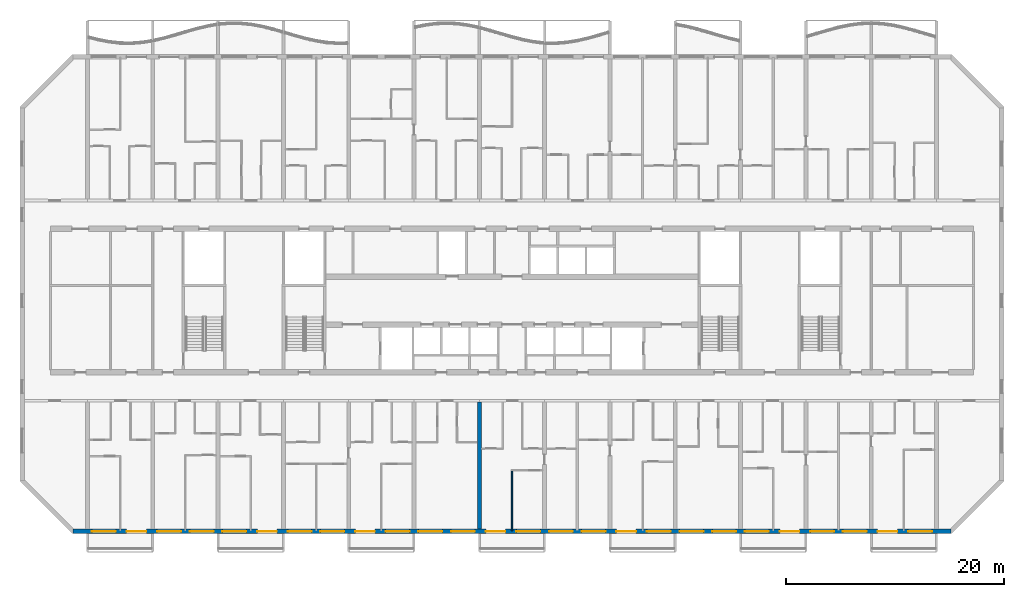
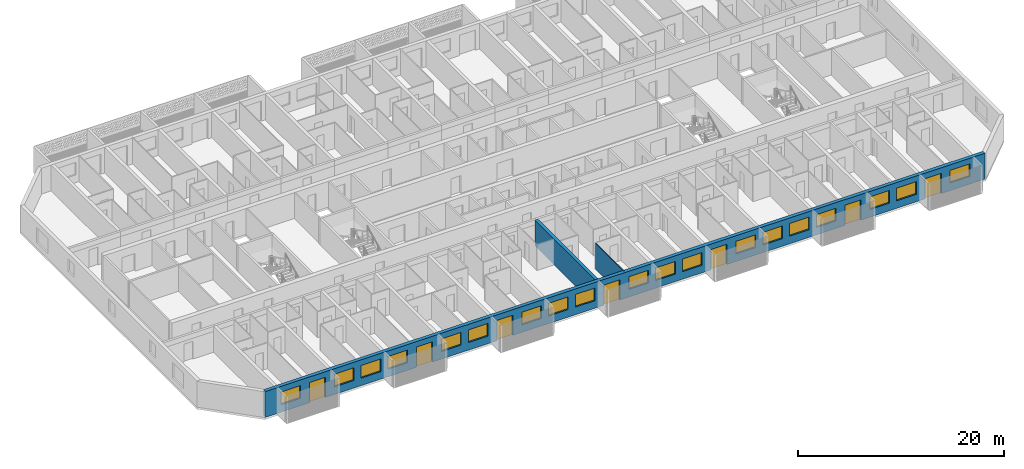
# One storey, part 4 of 26: 19 windows, 7 doors, 3 walls, 26 openings.
"""IFC4 building model written with IfcOpenShell, lengths in metres."""

import ifcopenshell
import ifcopenshell.guid

model = None  # the IFC model being written
_history = None  # IfcOwnerHistory: only IFC2X3 demands one
_inside = {}  # id of a spatial element -> (the spatial element, [elements in it])
_under = {}  # id of a project, library or spatial element -> (it, [spatial elements below it])
_declared = {}  # id of a project -> (the project, [libraries it declares])
_typed = {}  # id of a type object -> (the type object, [elements of that type])
_made_of = {}  # id of a material, layer set ... -> (it, [elements and type objects made of it])


def new_model(schema):
    """Start an empty IFC model of exactly this schema.

    Asked for "IFC4X3", IfcOpenShell would pick the latest addendum, in which some entities
    have other attributes; the version numbers below select the first issue.
    IFC2X3 requires an IfcOwnerHistory on every rooted entity: one is made here for all.
    """
    global model, _history
    if schema == "IFC4X3":
        model = ifcopenshell.file(schema_version=(4, 3, 0, 0))
    else:
        model = ifcopenshell.file(schema=schema)
    _inside.clear()
    _under.clear()
    _declared.clear()
    _typed.clear()
    _made_of.clear()
    _history = None
    if model.schema == "IFC2X3":
        org = make("IfcOrganization", Name="unknown")
        user = make(
            "IfcPersonAndOrganization",
            ThePerson=make("IfcPerson", FamilyName="unknown"),
            TheOrganization=org,
        )
        app = make(
            "IfcApplication",
            ApplicationDeveloper=org,
            Version="unknown",
            ApplicationFullName="unknown",
            ApplicationIdentifier="unknown",
        )
        _history = make(
            "IfcOwnerHistory",
            OwningUser=user,
            OwningApplication=app,
            ChangeAction="ADDED",
            CreationDate=0,
        )
    return model


def make(cls, **values):
    """One entity of the class cls with the attributes given. An attribute that is None is left unset."""
    return model.create_entity(
        cls, **{name: value for name, value in values.items() if value is not None}
    )


def rooted(cls, **values):
    """An entity with a GlobalId (a new one), such as an element, a storey or a relation."""
    return make(cls, GlobalId=ifcopenshell.guid.new(), OwnerHistory=_history, **values)


def si_unit(unit_type, name, prefix=None):
    """IfcSIUnit, for example si_unit("LENGTHUNIT", "METRE", prefix="MILLI")."""
    return make("IfcSIUnit", UnitType=unit_type, Prefix=prefix, Name=name)


def assignment(units):
    """IfcUnitAssignment: the units of a project."""
    return None if units is None else make("IfcUnitAssignment", Units=units)


def point(xyz):
    """IfcCartesianPoint."""
    return None if xyz is None else make("IfcCartesianPoint", Coordinates=xyz)


def direction(xyz):
    """IfcDirection."""
    return None if xyz is None else make("IfcDirection", DirectionRatios=xyz)


def frame(location, z_axis=None, x_axis=None):
    """IfcAxis2Placement3D, a coordinate frame: its origin and axes. An axis left out is left unset."""
    return make(
        "IfcAxis2Placement3D",
        Location=point(location),
        Axis=direction(z_axis),
        RefDirection=direction(x_axis),
    )


def frame_2d(location, x_axis=None):
    """IfcAxis2Placement2D, a coordinate frame in the plane: its origin and x axis."""
    return make(
        "IfcAxis2Placement2D", Location=point(location), RefDirection=direction(x_axis)
    )


def origin():
    """The frame at (0, 0, 0) with its axes left unset."""
    return frame((0.0, 0.0, 0.0))


def place(relative_to, where):
    """IfcLocalPlacement: puts the frame where relative to a parent placement (None: the world)."""
    return make(
        "IfcLocalPlacement", PlacementRelTo=relative_to, RelativePlacement=where
    )


def context(
    kind, dimensions, precision=None, world=None, true_north=None, identifier=None
):
    """IfcGeometricRepresentationContext, for example the 3D "Model" context."""
    return make(
        "IfcGeometricRepresentationContext",
        ContextIdentifier=identifier,
        ContextType=kind,
        CoordinateSpaceDimension=dimensions,
        Precision=precision,
        WorldCoordinateSystem=world,
        TrueNorth=true_north,
    )


def subcontext(parent, identifier, kind, view, scale=None):
    """IfcGeometricRepresentationSubContext, for example "Body" below "Model"."""
    return make(
        "IfcGeometricRepresentationSubContext",
        ContextIdentifier=identifier,
        ContextType=kind,
        ParentContext=parent,
        TargetScale=scale,
        TargetView=view,
    )


def project(units=None, contexts=None):
    """IfcProject with its units and contexts."""
    return rooted(
        "IfcProject",
        Name="project",
        RepresentationContexts=contexts,
        UnitsInContext=assignment(units),
    )


def spatial(cls, under=None, at=None, **own):
    """A site, building, storey or space (cls), placed at a placement, below another one or the project."""
    s = rooted(cls, ObjectPlacement=at, **own)
    if under is not None:
        _under.setdefault(under.id(), (under, []))[1].append(s)
    return s


def profile(cls, at=None, kind="AREA", **sizes):
    """A parametric profile (cls). Its sizes go by their IFC names, for example OverallWidth=200.0."""
    return make(cls, ProfileType=kind, Position=at, **sizes)


def rectangle(**sizes):
    """IfcRectangleProfileDef."""
    return profile("IfcRectangleProfileDef", **sizes)


def extrude(swept, where, along, depth):
    """IfcExtrudedAreaSolid: the profile swept, set in the frame where, extruded along a direction by depth."""
    return make(
        "IfcExtrudedAreaSolid",
        SweptArea=swept,
        Position=where,
        ExtrudedDirection=direction(along),
        Depth=depth,
    )


def shape(context_of_items, identifier, shape_type, items):
    """IfcShapeRepresentation: the items that make up one representation, for example the "Body"."""
    return make(
        "IfcShapeRepresentation",
        ContextOfItems=context_of_items,
        RepresentationIdentifier=identifier,
        RepresentationType=shape_type,
        Items=items,
    )


def material(Name=None, Category=None):
    """IfcMaterial."""
    return make("IfcMaterial", Name=Name, Category=Category)


def layer(
    of_material, thickness, ventilated=None, Name=None, Category=None, Priority=None
):
    """IfcMaterialLayer: one layer of a wall or slab, of a material (None: an air gap)."""
    return make(
        "IfcMaterialLayer",
        Material=of_material,
        LayerThickness=thickness,
        IsVentilated=ventilated,
        Name=Name,
        Category=Category,
        Priority=Priority,
    )


def layer_set(layers, Name=None):
    """IfcMaterialLayerSet."""
    return make("IfcMaterialLayerSet", MaterialLayers=layers, LayerSetName=Name)


def made_of(thing, what):
    """Note that an element or type object is made of a material, layer set ...; save() writes the relation."""
    if what is not None:
        _made_of.setdefault(what.id(), (what, []))[1].append(thing)
    return thing


def type_object(cls, material=None, **own):
    """A type object (cls), such as IfcWallType, which elements share."""
    return made_of(rooted(cls, **own), material)


def element(
    cls,
    number,
    at=None,
    inside=None,
    cuts=None,
    type_object=None,
    material=None,
    context=None,
    identifier="Body",
    shape_type=None,
    held_by="IfcProductDefinitionShape",
    body=None,
    shapes=None,
    **own,
):
    """One element of the class cls, such as IfcWall. Its Tag is "e" and its number.

    at: its placement. inside: the storey or other place that contains it. cuts: it is an
    opening in that element (IfcRelVoidsElement). A single representation is given by context,
    identifier, shape_type and body (its items); several are given by shapes. held_by: the class
    of the entity that holds the representations. save() writes the other relations.
    """
    e = rooted(cls, Tag="e%d" % number, ObjectPlacement=at, **own)
    if body is not None:
        shapes = [shape(context, identifier, shape_type, body)]
    if shapes is not None:
        e.Representation = make(held_by, Representations=shapes)
    if inside is not None:
        _inside.setdefault(inside.id(), (inside, []))[1].append(e)
    if cuts is not None:
        rooted(
            "IfcRelVoidsElement", RelatingBuildingElement=cuts, RelatedOpeningElement=e
        )
    if type_object is not None:
        _typed.setdefault(type_object.id(), (type_object, []))[1].append(e)
    return made_of(e, material)


def fill(opening, filler):
    """IfcRelFillsElement: the door or window that sits in an opening."""
    return rooted(
        "IfcRelFillsElement",
        RelatingOpeningElement=opening,
        RelatedBuildingElement=filler,
    )


def aggregate(whole, parts):
    """IfcRelAggregates: a whole, such as a stair, and the parts it consists of."""
    return rooted("IfcRelAggregates", RelatingObject=whole, RelatedObjects=parts)


def save(model, path):
    """Write the relations noted so far, then the file.

    IfcRelAggregates (storeys below a building ...), IfcRelContainedInSpatialStructure (elements
    in a storey), IfcRelDefinesByType, IfcRelAssociatesMaterial and IfcRelDeclares: one each for
    every whole, place, type object, material and project.
    """
    for whole, parts in _under.values():
        aggregate(whole, parts)
    for where, things in _inside.values():
        rooted(
            "IfcRelContainedInSpatialStructure",
            RelatedElements=things,
            RelatingStructure=where,
        )
    for kind, things in _typed.values():
        rooted("IfcRelDefinesByType", RelatedObjects=things, RelatingType=kind)
    for what, things in _made_of.values():
        rooted("IfcRelAssociatesMaterial", RelatedObjects=things, RelatingMaterial=what)
    for by, libraries in _declared.values():
        rooted("IfcRelDeclares", RelatingContext=by, RelatedDefinitions=libraries)
    model.write(path)


model = new_model("IFC4")

# Units and contexts
model_context = context("Model", 3, precision=1e-05, world=origin(), true_north=direction((0.0, 1.0)))
body_context = subcontext(model_context, "Body", "Model", "MODEL_VIEW")
ifc_project = project(units=[si_unit("LENGTHUNIT", "METRE"), si_unit("AREAUNIT", "SQUARE_METRE"), si_unit("VOLUMEUNIT", "CUBIC_METRE"), si_unit("PLANEANGLEUNIT", "RADIAN"), si_unit("MASSUNIT", "GRAM", prefix="KILO")], contexts=[model_context])

# Site, building, storey
site_placement = place(None, origin())
site = spatial("IfcSite", under=ifc_project, at=site_placement, CompositionType="ELEMENT")
building_placement = place(site_placement, origin())
building = spatial("IfcBuilding", under=site, at=building_placement, Name="Poui Terraces", CompositionType="ELEMENT")
storey_placement = place(building_placement, frame((0.0, 0.0, 79.5)))
storey = spatial("IfcBuildingStorey", under=building, at=storey_placement, Name="L21", CompositionType="ELEMENT", Elevation=79.5)

# Wall
ifc_material_1 = material(Name="Concrete 65 MPa", Category="concrete")
ifc_layer_1 = layer(ifc_material_1, 0.35009765625)
ifc_layer_set_1 = layer_set([ifc_layer_1], Name="Concrete 65 MPa")
wall_type_1 = type_object("IfcWallType", Name="CROSS WALL 350 65MPa", PredefinedType="SHEAR", material=ifc_layer_set_1)
wall_1_placement = place(storey_placement, frame((48.0, 0.199951171875, 0.0), z_axis=(0.0, 0.0, 1.0), x_axis=(0.0, 1.0, 0.0)))
element("IfcWall", 1, at=wall_1_placement, inside=storey, type_object=wall_type_1, Name="CROSS WALL LINE 9 SOUTH", PredefinedType="SHEAR", context=body_context, shape_type="SweptSolid", body=[
    extrude(rectangle(XDim=11.675048828125, YDim=0.35009765625, at=frame_2d((5.83740234375, 0.0))), origin(), (0.0, 0.0, 1.0), 3.06005859375),
])

# Wall, openings, doors, windows
ifc_material_2 = material(Name="Precast concrete 40 MPa", Category="concrete")
ifc_layer_2 = layer(ifc_material_2, 0.39990234375)
ifc_layer_set_2 = layer_set([ifc_layer_2], Name="Precast concrete 40 MPa")
wall_type_2 = type_object("IfcWallType", Name="EXTERNAL WALL 400", PredefinedType="STANDARD", material=ifc_layer_set_2)
wall_2_placement = place(storey_placement, frame((10.682861328125, 0.0, 0.0), z_axis=(0.0, 0.0, 1.0), x_axis=(1.0, 0.0, 0.0)))
wall_2 = element("IfcWall", 2, at=wall_2_placement, inside=storey, type_object=wall_type_2, Name="EXTERNAL WALL S", PredefinedType="STANDARD", context=body_context, shape_type="SweptSolid", body=[
    extrude(rectangle(XDim=80.63427734375, YDim=0.39990234375, at=frame_2d((40.317138671875, 0.0))), origin(), (0.0, 0.0, 1.0), 3.06005859375),
])
opening_1_placement = place(wall_2_placement, frame((1.71728515625, 0.0, 0.89990234375)))
opening_1 = element("IfcOpeningElement", 3, at=opening_1_placement, cuts=wall_2, Name="Opening W1", PredefinedType="OPENING", context=body_context, shape_type="SweptSolid", body=[
    extrude(rectangle(XDim=2.199951171875, YDim=1.5, at=frame_2d((1.10009765625, 0.75))), frame((0.0, 0.2099609375, 0.0), z_axis=(0.0, -1.0, 0.0), x_axis=(1.0, 0.0, 0.0)), (0.0, 0.0, 1.0), 0.419921875),
])
opening_2_placement = place(wall_2_placement, frame((4.917236328125, 0.0, 0.0)))
opening_2 = element("IfcOpeningElement", 4, at=opening_2_placement, cuts=wall_2, Name="Opening BD1", PredefinedType="OPENING", context=body_context, shape_type="SweptSolid", body=[
    extrude(rectangle(XDim=1.800048828125, YDim=2.39990234375, at=frame_2d((0.89990234375, 1.199951171875))), frame((0.0, 0.2099609375, 0.0), z_axis=(0.0, -1.0, 0.0), x_axis=(1.0, 0.0, 0.0)), (0.0, 0.0, 1.0), 0.419921875),
])
opening_3_placement = place(wall_2_placement, frame((7.71728515625, 0.0, 0.89990234375)))
opening_3 = element("IfcOpeningElement", 5, at=opening_3_placement, cuts=wall_2, Name="Opening W1", PredefinedType="OPENING", context=body_context, shape_type="SweptSolid", body=[
    extrude(rectangle(XDim=2.199951171875, YDim=1.5, at=frame_2d((1.10009765625, 0.75))), frame((0.0, 0.2099609375, 0.0), z_axis=(0.0, -1.0, 0.0), x_axis=(1.0, 0.0, 0.0)), (0.0, 0.0, 1.0), 0.419921875),
])
opening_4_placement = place(wall_2_placement, frame((10.71728515625, 0.0, 0.89990234375)))
opening_4 = element("IfcOpeningElement", 6, at=opening_4_placement, cuts=wall_2, Name="Opening W1", PredefinedType="OPENING", context=body_context, shape_type="SweptSolid", body=[
    extrude(rectangle(XDim=2.199951171875, YDim=1.5, at=frame_2d((1.10009765625, 0.75))), frame((0.0, 0.2099609375, 0.0), z_axis=(0.0, -1.0, 0.0), x_axis=(1.0, 0.0, 0.0)), (0.0, 0.0, 1.0), 0.419921875),
])
opening_5_placement = place(wall_2_placement, frame((13.71728515625, 0.0, 0.89990234375)))
opening_5 = element("IfcOpeningElement", 7, at=opening_5_placement, cuts=wall_2, Name="Opening W1", PredefinedType="OPENING", context=body_context, shape_type="SweptSolid", body=[
    extrude(rectangle(XDim=2.199951171875, YDim=1.5, at=frame_2d((1.10009765625, 0.75))), frame((0.0, 0.2099609375, 0.0), z_axis=(0.0, -1.0, 0.0), x_axis=(1.0, 0.0, 0.0)), (0.0, 0.0, 1.0), 0.419921875),
])
opening_6_placement = place(wall_2_placement, frame((16.917236328125, 0.0, 0.0)))
opening_6 = element("IfcOpeningElement", 8, at=opening_6_placement, cuts=wall_2, Name="Opening BD1", PredefinedType="OPENING", context=body_context, shape_type="SweptSolid", body=[
    extrude(rectangle(XDim=1.800048828125, YDim=2.39990234375, at=frame_2d((0.89990234375, 1.199951171875))), frame((0.0, 0.2099609375, 0.0), z_axis=(0.0, -1.0, 0.0), x_axis=(1.0, 0.0, 0.0)), (0.0, 0.0, 1.0), 0.419921875),
])
opening_7_placement = place(wall_2_placement, frame((19.71728515625, 0.0, 0.89990234375)))
opening_7 = element("IfcOpeningElement", 9, at=opening_7_placement, cuts=wall_2, Name="Opening W1", PredefinedType="OPENING", context=body_context, shape_type="SweptSolid", body=[
    extrude(rectangle(XDim=2.199951171875, YDim=1.5, at=frame_2d((1.10009765625, 0.75))), frame((0.0, 0.2099609375, 0.0), z_axis=(0.0, -1.0, 0.0), x_axis=(1.0, 0.0, 0.0)), (0.0, 0.0, 1.0), 0.419921875),
])
opening_8_placement = place(wall_2_placement, frame((22.71728515625, 0.0, 0.89990234375)))
opening_8 = element("IfcOpeningElement", 10, at=opening_8_placement, cuts=wall_2, Name="Opening W1", PredefinedType="OPENING", context=body_context, shape_type="SweptSolid", body=[
    extrude(rectangle(XDim=2.199951171875, YDim=1.5, at=frame_2d((1.10009765625, 0.75))), frame((0.0, 0.2099609375, 0.0), z_axis=(0.0, -1.0, 0.0), x_axis=(1.0, 0.0, 0.0)), (0.0, 0.0, 1.0), 0.419921875),
])
opening_9_placement = place(wall_2_placement, frame((25.917236328125, 0.0, 0.0)))
opening_9 = element("IfcOpeningElement", 11, at=opening_9_placement, cuts=wall_2, Name="Opening BD1", PredefinedType="OPENING", context=body_context, shape_type="SweptSolid", body=[
    extrude(rectangle(XDim=1.800048828125, YDim=2.39990234375, at=frame_2d((0.89990234375, 1.199951171875))), frame((0.0, 0.2099609375, 0.0), z_axis=(0.0, -1.0, 0.0), x_axis=(1.0, 0.0, 0.0)), (0.0, 0.0, 1.0), 0.419921875),
])
opening_10_placement = place(wall_2_placement, frame((28.71728515625, 0.0, 0.89990234375)))
opening_10 = element("IfcOpeningElement", 12, at=opening_10_placement, cuts=wall_2, Name="Opening W1", PredefinedType="OPENING", context=body_context, shape_type="SweptSolid", body=[
    extrude(rectangle(XDim=2.199951171875, YDim=1.5, at=frame_2d((1.10009765625, 0.75))), frame((0.0, 0.2099609375, 0.0), z_axis=(0.0, -1.0, 0.0), x_axis=(1.0, 0.0, 0.0)), (0.0, 0.0, 1.0), 0.419921875),
])
opening_11_placement = place(wall_2_placement, frame((31.71728515625, 0.0, 0.89990234375)))
opening_11 = element("IfcOpeningElement", 13, at=opening_11_placement, cuts=wall_2, Name="Opening W1", PredefinedType="OPENING", context=body_context, shape_type="SweptSolid", body=[
    extrude(rectangle(XDim=2.199951171875, YDim=1.5, at=frame_2d((1.10009765625, 0.75))), frame((0.0, 0.2099609375, 0.0), z_axis=(0.0, -1.0, 0.0), x_axis=(1.0, 0.0, 0.0)), (0.0, 0.0, 1.0), 0.419921875),
])
opening_12_placement = place(wall_2_placement, frame((34.71728515625, 0.0, 0.89990234375)))
opening_12 = element("IfcOpeningElement", 14, at=opening_12_placement, cuts=wall_2, Name="Opening W1", PredefinedType="OPENING", context=body_context, shape_type="SweptSolid", body=[
    extrude(rectangle(XDim=2.199951171875, YDim=1.5, at=frame_2d((1.10009765625, 0.75))), frame((0.0, 0.2099609375, 0.0), z_axis=(0.0, -1.0, 0.0), x_axis=(1.0, 0.0, 0.0)), (0.0, 0.0, 1.0), 0.419921875),
])
opening_13_placement = place(wall_2_placement, frame((37.917236328125, 0.0, 0.0)))
opening_13 = element("IfcOpeningElement", 15, at=opening_13_placement, cuts=wall_2, Name="Opening BD1", PredefinedType="OPENING", context=body_context, shape_type="SweptSolid", body=[
    extrude(rectangle(XDim=1.800048828125, YDim=2.39990234375, at=frame_2d((0.89990234375, 1.199951171875))), frame((0.0, 0.2099609375, 0.0), z_axis=(0.0, -1.0, 0.0), x_axis=(1.0, 0.0, 0.0)), (0.0, 0.0, 1.0), 0.419921875),
])
opening_14_placement = place(wall_2_placement, frame((40.71728515625, 0.0, 0.89990234375)))
opening_14 = element("IfcOpeningElement", 16, at=opening_14_placement, cuts=wall_2, Name="Opening W1", PredefinedType="OPENING", context=body_context, shape_type="SweptSolid", body=[
    extrude(rectangle(XDim=2.199951171875, YDim=1.5, at=frame_2d((1.10009765625, 0.75))), frame((0.0, 0.2099609375, 0.0), z_axis=(0.0, -1.0, 0.0), x_axis=(1.0, 0.0, 0.0)), (0.0, 0.0, 1.0), 0.419921875),
])
opening_15_placement = place(wall_2_placement, frame((43.71728515625, 0.0, 0.89990234375)))
opening_15 = element("IfcOpeningElement", 17, at=opening_15_placement, cuts=wall_2, Name="Opening W1", PredefinedType="OPENING", context=body_context, shape_type="SweptSolid", body=[
    extrude(rectangle(XDim=2.199951171875, YDim=1.5, at=frame_2d((1.10009765625, 0.75))), frame((0.0, 0.2099609375, 0.0), z_axis=(0.0, -1.0, 0.0), x_axis=(1.0, 0.0, 0.0)), (0.0, 0.0, 1.0), 0.419921875),
])
opening_16_placement = place(wall_2_placement, frame((46.71728515625, 0.0, 0.89990234375)))
opening_16 = element("IfcOpeningElement", 18, at=opening_16_placement, cuts=wall_2, Name="Opening W1", PredefinedType="OPENING", context=body_context, shape_type="SweptSolid", body=[
    extrude(rectangle(XDim=2.199951171875, YDim=1.5, at=frame_2d((1.10009765625, 0.75))), frame((0.0, 0.2099609375, 0.0), z_axis=(0.0, -1.0, 0.0), x_axis=(1.0, 0.0, 0.0)), (0.0, 0.0, 1.0), 0.419921875),
])
opening_17_placement = place(wall_2_placement, frame((49.917236328125, 0.0, 0.0)))
opening_17 = element("IfcOpeningElement", 19, at=opening_17_placement, cuts=wall_2, Name="Opening BD1", PredefinedType="OPENING", context=body_context, shape_type="SweptSolid", body=[
    extrude(rectangle(XDim=1.800048828125, YDim=2.39990234375, at=frame_2d((0.89990234375, 1.199951171875))), frame((0.0, 0.2099609375, 0.0), z_axis=(0.0, -1.0, 0.0), x_axis=(1.0, 0.0, 0.0)), (0.0, 0.0, 1.0), 0.419921875),
])
opening_18_placement = place(wall_2_placement, frame((52.71728515625, 0.0, 0.89990234375)))
opening_18 = element("IfcOpeningElement", 20, at=opening_18_placement, cuts=wall_2, Name="Opening W1", PredefinedType="OPENING", context=body_context, shape_type="SweptSolid", body=[
    extrude(rectangle(XDim=2.199951171875, YDim=1.5, at=frame_2d((1.10009765625, 0.75))), frame((0.0, 0.2099609375, 0.0), z_axis=(0.0, -1.0, 0.0), x_axis=(1.0, 0.0, 0.0)), (0.0, 0.0, 1.0), 0.419921875),
])
opening_19_placement = place(wall_2_placement, frame((55.71728515625, 0.0, 0.89990234375)))
opening_19 = element("IfcOpeningElement", 21, at=opening_19_placement, cuts=wall_2, Name="Opening W1", PredefinedType="OPENING", context=body_context, shape_type="SweptSolid", body=[
    extrude(rectangle(XDim=2.199951171875, YDim=1.5, at=frame_2d((1.10009765625, 0.75))), frame((0.0, 0.2099609375, 0.0), z_axis=(0.0, -1.0, 0.0), x_axis=(1.0, 0.0, 0.0)), (0.0, 0.0, 1.0), 0.419921875),
])
opening_20_placement = place(wall_2_placement, frame((58.71728515625, 0.0, 0.89990234375)))
opening_20 = element("IfcOpeningElement", 22, at=opening_20_placement, cuts=wall_2, Name="Opening W1", PredefinedType="OPENING", context=body_context, shape_type="SweptSolid", body=[
    extrude(rectangle(XDim=2.199951171875, YDim=1.5, at=frame_2d((1.10009765625, 0.75))), frame((0.0, 0.2099609375, 0.0), z_axis=(0.0, -1.0, 0.0), x_axis=(1.0, 0.0, 0.0)), (0.0, 0.0, 1.0), 0.419921875),
])
opening_21_placement = place(wall_2_placement, frame((61.71728515625, 0.0, 0.89990234375)))
opening_21 = element("IfcOpeningElement", 23, at=opening_21_placement, cuts=wall_2, Name="Opening W1", PredefinedType="OPENING", context=body_context, shape_type="SweptSolid", body=[
    extrude(rectangle(XDim=2.199951171875, YDim=1.5, at=frame_2d((1.10009765625, 0.75))), frame((0.0, 0.2099609375, 0.0), z_axis=(0.0, -1.0, 0.0), x_axis=(1.0, 0.0, 0.0)), (0.0, 0.0, 1.0), 0.419921875),
])
opening_22_placement = place(wall_2_placement, frame((64.917236328125, 0.0, 0.0)))
opening_22 = element("IfcOpeningElement", 24, at=opening_22_placement, cuts=wall_2, Name="Opening BD1", PredefinedType="OPENING", context=body_context, shape_type="SweptSolid", body=[
    extrude(rectangle(XDim=1.800048828125, YDim=2.39990234375, at=frame_2d((0.89990234375, 1.199951171875))), frame((0.0, 0.2099609375, 0.0), z_axis=(0.0, -1.0, 0.0), x_axis=(1.0, 0.0, 0.0)), (0.0, 0.0, 1.0), 0.419921875),
])
opening_23_placement = place(wall_2_placement, frame((67.71728515625, 0.0, 0.89990234375)))
opening_23 = element("IfcOpeningElement", 25, at=opening_23_placement, cuts=wall_2, Name="Opening W1", PredefinedType="OPENING", context=body_context, shape_type="SweptSolid", body=[
    extrude(rectangle(XDim=2.199951171875, YDim=1.5, at=frame_2d((1.10009765625, 0.75))), frame((0.0, 0.2099609375, 0.0), z_axis=(0.0, -1.0, 0.0), x_axis=(1.0, 0.0, 0.0)), (0.0, 0.0, 1.0), 0.419921875),
])
opening_24_placement = place(wall_2_placement, frame((70.71728515625, 0.0, 0.89990234375)))
opening_24 = element("IfcOpeningElement", 26, at=opening_24_placement, cuts=wall_2, Name="Opening W1", PredefinedType="OPENING", context=body_context, shape_type="SweptSolid", body=[
    extrude(rectangle(XDim=2.199951171875, YDim=1.5, at=frame_2d((1.10009765625, 0.75))), frame((0.0, 0.2099609375, 0.0), z_axis=(0.0, -1.0, 0.0), x_axis=(1.0, 0.0, 0.0)), (0.0, 0.0, 1.0), 0.419921875),
])
opening_25_placement = place(wall_2_placement, frame((73.917236328125, 0.0, 0.0)))
opening_25 = element("IfcOpeningElement", 27, at=opening_25_placement, cuts=wall_2, Name="Opening BD1", PredefinedType="OPENING", context=body_context, shape_type="SweptSolid", body=[
    extrude(rectangle(XDim=1.800048828125, YDim=2.39990234375, at=frame_2d((0.89990234375, 1.199951171875))), frame((0.0, 0.2099609375, 0.0), z_axis=(0.0, -1.0, 0.0), x_axis=(1.0, 0.0, 0.0)), (0.0, 0.0, 1.0), 0.419921875),
])
opening_26_placement = place(wall_2_placement, frame((76.71728515625, 0.0, 0.89990234375)))
opening_26 = element("IfcOpeningElement", 28, at=opening_26_placement, cuts=wall_2, Name="Opening W1", PredefinedType="OPENING", context=body_context, shape_type="SweptSolid", body=[
    extrude(rectangle(XDim=2.199951171875, YDim=1.5, at=frame_2d((1.10009765625, 0.75))), frame((0.0, 0.2099609375, 0.0), z_axis=(0.0, -1.0, 0.0), x_axis=(1.0, 0.0, 0.0)), (0.0, 0.0, 1.0), 0.419921875),
])
ifc_material_3 = material(Name="Clear glass in aluminium frame", Category="aluminium")
door_type = type_object("IfcDoorType", Name="BALCONY DOOR 1800X2400", OperationType="DOUBLE_DOOR_SLIDING", PredefinedType="DOOR", material=ifc_material_3)
door_1_placement = place(opening_2_placement, origin())
door_1 = element("IfcDoor", 29, at=door_1_placement, inside=storey, type_object=door_type, Name="BD1 BALCONY DOOR", OperationType="DOUBLE_DOOR_SLIDING", OverallHeight=2.39990234375, OverallWidth=1.800048828125, PredefinedType="DOOR", context=body_context, shape_type="SweptSolid", body=[
    extrude(rectangle(XDim=1.800048828125, YDim=2.39990234375, at=frame_2d((0.89990234375, 1.199951171875))), frame((0.0, 0.02490234375, 0.0), z_axis=(0.0, -1.0, 0.0), x_axis=(1.0, 0.0, 0.0)), (0.0, 0.0, 1.0), 0.050048828125),
])
fill(opening_2, door_1)
door_2_placement = place(opening_6_placement, origin())
door_2 = element("IfcDoor", 30, at=door_2_placement, inside=storey, type_object=door_type, Name="BD1 BALCONY DOOR", OperationType="DOUBLE_DOOR_SLIDING", OverallHeight=2.39990234375, OverallWidth=1.800048828125, PredefinedType="DOOR", context=body_context, shape_type="SweptSolid", body=[
    extrude(rectangle(XDim=1.800048828125, YDim=2.39990234375, at=frame_2d((0.89990234375, 1.199951171875))), frame((0.0, 0.02490234375, 0.0), z_axis=(0.0, -1.0, 0.0), x_axis=(1.0, 0.0, 0.0)), (0.0, 0.0, 1.0), 0.050048828125),
])
fill(opening_6, door_2)
door_3_placement = place(opening_9_placement, origin())
door_3 = element("IfcDoor", 31, at=door_3_placement, inside=storey, type_object=door_type, Name="BD1 BALCONY DOOR", OperationType="DOUBLE_DOOR_SLIDING", OverallHeight=2.39990234375, OverallWidth=1.800048828125, PredefinedType="DOOR", context=body_context, shape_type="SweptSolid", body=[
    extrude(rectangle(XDim=1.800048828125, YDim=2.39990234375, at=frame_2d((0.89990234375, 1.199951171875))), frame((0.0, 0.02490234375, 0.0), z_axis=(0.0, -1.0, 0.0), x_axis=(1.0, 0.0, 0.0)), (0.0, 0.0, 1.0), 0.050048828125),
])
fill(opening_9, door_3)
door_4_placement = place(opening_13_placement, origin())
door_4 = element("IfcDoor", 32, at=door_4_placement, inside=storey, type_object=door_type, Name="BD1 BALCONY DOOR", OperationType="DOUBLE_DOOR_SLIDING", OverallHeight=2.39990234375, OverallWidth=1.800048828125, PredefinedType="DOOR", context=body_context, shape_type="SweptSolid", body=[
    extrude(rectangle(XDim=1.800048828125, YDim=2.39990234375, at=frame_2d((0.89990234375, 1.199951171875))), frame((0.0, 0.02490234375, 0.0), z_axis=(0.0, -1.0, 0.0), x_axis=(1.0, 0.0, 0.0)), (0.0, 0.0, 1.0), 0.050048828125),
])
fill(opening_13, door_4)
door_5_placement = place(opening_17_placement, origin())
door_5 = element("IfcDoor", 33, at=door_5_placement, inside=storey, type_object=door_type, Name="BD1 BALCONY DOOR", OperationType="DOUBLE_DOOR_SLIDING", OverallHeight=2.39990234375, OverallWidth=1.800048828125, PredefinedType="DOOR", context=body_context, shape_type="SweptSolid", body=[
    extrude(rectangle(XDim=1.800048828125, YDim=2.39990234375, at=frame_2d((0.89990234375, 1.199951171875))), frame((0.0, 0.02490234375, 0.0), z_axis=(0.0, -1.0, 0.0), x_axis=(1.0, 0.0, 0.0)), (0.0, 0.0, 1.0), 0.050048828125),
])
fill(opening_17, door_5)
door_6_placement = place(opening_22_placement, origin())
door_6 = element("IfcDoor", 34, at=door_6_placement, inside=storey, type_object=door_type, Name="BD1 BALCONY DOOR", OperationType="DOUBLE_DOOR_SLIDING", OverallHeight=2.39990234375, OverallWidth=1.800048828125, PredefinedType="DOOR", context=body_context, shape_type="SweptSolid", body=[
    extrude(rectangle(XDim=1.800048828125, YDim=2.39990234375, at=frame_2d((0.89990234375, 1.199951171875))), frame((0.0, 0.02490234375, 0.0), z_axis=(0.0, -1.0, 0.0), x_axis=(1.0, 0.0, 0.0)), (0.0, 0.0, 1.0), 0.050048828125),
])
fill(opening_22, door_6)
door_7_placement = place(opening_25_placement, origin())
door_7 = element("IfcDoor", 35, at=door_7_placement, inside=storey, type_object=door_type, Name="BD1 BALCONY DOOR", OperationType="DOUBLE_DOOR_SLIDING", OverallHeight=2.39990234375, OverallWidth=1.800048828125, PredefinedType="DOOR", context=body_context, shape_type="SweptSolid", body=[
    extrude(rectangle(XDim=1.800048828125, YDim=2.39990234375, at=frame_2d((0.89990234375, 1.199951171875))), frame((0.0, 0.02490234375, 0.0), z_axis=(0.0, -1.0, 0.0), x_axis=(1.0, 0.0, 0.0)), (0.0, 0.0, 1.0), 0.050048828125),
])
fill(opening_25, door_7)
window_type = type_object("IfcWindowType", Name="WINDOW 2200X1500", PartitioningType="DOUBLE_PANEL_HORIZONTAL", PredefinedType="WINDOW", material=ifc_material_3)
window_1_placement = place(opening_1_placement, origin())
window_1 = element("IfcWindow", 36, at=window_1_placement, inside=storey, type_object=window_type, Name="W1 WINDOW", OverallHeight=1.5, OverallWidth=2.199951171875, PartitioningType="DOUBLE_PANEL_HORIZONTAL", PredefinedType="WINDOW", context=body_context, shape_type="SweptSolid", body=[
    extrude(rectangle(XDim=2.199951171875, YDim=1.5, at=frame_2d((1.10009765625, 0.75))), frame((0.0, 0.030029296875, 0.0), z_axis=(0.0, -1.0, 0.0), x_axis=(1.0, 0.0, 0.0)), (0.0, 0.0, 1.0), 0.06005859375),
])
fill(opening_1, window_1)
window_2_placement = place(opening_3_placement, origin())
window_2 = element("IfcWindow", 37, at=window_2_placement, inside=storey, type_object=window_type, Name="W1 WINDOW", OverallHeight=1.5, OverallWidth=2.199951171875, PartitioningType="DOUBLE_PANEL_HORIZONTAL", PredefinedType="WINDOW", context=body_context, shape_type="SweptSolid", body=[
    extrude(rectangle(XDim=2.199951171875, YDim=1.5, at=frame_2d((1.10009765625, 0.75))), frame((0.0, 0.030029296875, 0.0), z_axis=(0.0, -1.0, 0.0), x_axis=(1.0, 0.0, 0.0)), (0.0, 0.0, 1.0), 0.06005859375),
])
fill(opening_3, window_2)
window_3_placement = place(opening_4_placement, origin())
window_3 = element("IfcWindow", 38, at=window_3_placement, inside=storey, type_object=window_type, Name="W1 WINDOW", OverallHeight=1.5, OverallWidth=2.199951171875, PartitioningType="DOUBLE_PANEL_HORIZONTAL", PredefinedType="WINDOW", context=body_context, shape_type="SweptSolid", body=[
    extrude(rectangle(XDim=2.199951171875, YDim=1.5, at=frame_2d((1.10009765625, 0.75))), frame((0.0, 0.030029296875, 0.0), z_axis=(0.0, -1.0, 0.0), x_axis=(1.0, 0.0, 0.0)), (0.0, 0.0, 1.0), 0.06005859375),
])
fill(opening_4, window_3)
window_4_placement = place(opening_5_placement, origin())
window_4 = element("IfcWindow", 39, at=window_4_placement, inside=storey, type_object=window_type, Name="W1 WINDOW", OverallHeight=1.5, OverallWidth=2.199951171875, PartitioningType="DOUBLE_PANEL_HORIZONTAL", PredefinedType="WINDOW", context=body_context, shape_type="SweptSolid", body=[
    extrude(rectangle(XDim=2.199951171875, YDim=1.5, at=frame_2d((1.10009765625, 0.75))), frame((0.0, 0.030029296875, 0.0), z_axis=(0.0, -1.0, 0.0), x_axis=(1.0, 0.0, 0.0)), (0.0, 0.0, 1.0), 0.06005859375),
])
fill(opening_5, window_4)
window_5_placement = place(opening_7_placement, origin())
window_5 = element("IfcWindow", 40, at=window_5_placement, inside=storey, type_object=window_type, Name="W1 WINDOW", OverallHeight=1.5, OverallWidth=2.199951171875, PartitioningType="DOUBLE_PANEL_HORIZONTAL", PredefinedType="WINDOW", context=body_context, shape_type="SweptSolid", body=[
    extrude(rectangle(XDim=2.199951171875, YDim=1.5, at=frame_2d((1.10009765625, 0.75))), frame((0.0, 0.030029296875, 0.0), z_axis=(0.0, -1.0, 0.0), x_axis=(1.0, 0.0, 0.0)), (0.0, 0.0, 1.0), 0.06005859375),
])
fill(opening_7, window_5)
window_6_placement = place(opening_8_placement, origin())
window_6 = element("IfcWindow", 41, at=window_6_placement, inside=storey, type_object=window_type, Name="W1 WINDOW", OverallHeight=1.5, OverallWidth=2.199951171875, PartitioningType="DOUBLE_PANEL_HORIZONTAL", PredefinedType="WINDOW", context=body_context, shape_type="SweptSolid", body=[
    extrude(rectangle(XDim=2.199951171875, YDim=1.5, at=frame_2d((1.10009765625, 0.75))), frame((0.0, 0.030029296875, 0.0), z_axis=(0.0, -1.0, 0.0), x_axis=(1.0, 0.0, 0.0)), (0.0, 0.0, 1.0), 0.06005859375),
])
fill(opening_8, window_6)
window_7_placement = place(opening_10_placement, origin())
window_7 = element("IfcWindow", 42, at=window_7_placement, inside=storey, type_object=window_type, Name="W1 WINDOW", OverallHeight=1.5, OverallWidth=2.199951171875, PartitioningType="DOUBLE_PANEL_HORIZONTAL", PredefinedType="WINDOW", context=body_context, shape_type="SweptSolid", body=[
    extrude(rectangle(XDim=2.199951171875, YDim=1.5, at=frame_2d((1.10009765625, 0.75))), frame((0.0, 0.030029296875, 0.0), z_axis=(0.0, -1.0, 0.0), x_axis=(1.0, 0.0, 0.0)), (0.0, 0.0, 1.0), 0.06005859375),
])
fill(opening_10, window_7)
window_8_placement = place(opening_11_placement, origin())
window_8 = element("IfcWindow", 43, at=window_8_placement, inside=storey, type_object=window_type, Name="W1 WINDOW", OverallHeight=1.5, OverallWidth=2.199951171875, PartitioningType="DOUBLE_PANEL_HORIZONTAL", PredefinedType="WINDOW", context=body_context, shape_type="SweptSolid", body=[
    extrude(rectangle(XDim=2.199951171875, YDim=1.5, at=frame_2d((1.10009765625, 0.75))), frame((0.0, 0.030029296875, 0.0), z_axis=(0.0, -1.0, 0.0), x_axis=(1.0, 0.0, 0.0)), (0.0, 0.0, 1.0), 0.06005859375),
])
fill(opening_11, window_8)
window_9_placement = place(opening_12_placement, origin())
window_9 = element("IfcWindow", 44, at=window_9_placement, inside=storey, type_object=window_type, Name="W1 WINDOW", OverallHeight=1.5, OverallWidth=2.199951171875, PartitioningType="DOUBLE_PANEL_HORIZONTAL", PredefinedType="WINDOW", context=body_context, shape_type="SweptSolid", body=[
    extrude(rectangle(XDim=2.199951171875, YDim=1.5, at=frame_2d((1.10009765625, 0.75))), frame((0.0, 0.030029296875, 0.0), z_axis=(0.0, -1.0, 0.0), x_axis=(1.0, 0.0, 0.0)), (0.0, 0.0, 1.0), 0.06005859375),
])
fill(opening_12, window_9)
window_10_placement = place(opening_14_placement, origin())
window_10 = element("IfcWindow", 45, at=window_10_placement, inside=storey, type_object=window_type, Name="W1 WINDOW", OverallHeight=1.5, OverallWidth=2.199951171875, PartitioningType="DOUBLE_PANEL_HORIZONTAL", PredefinedType="WINDOW", context=body_context, shape_type="SweptSolid", body=[
    extrude(rectangle(XDim=2.199951171875, YDim=1.5, at=frame_2d((1.10009765625, 0.75))), frame((0.0, 0.030029296875, 0.0), z_axis=(0.0, -1.0, 0.0), x_axis=(1.0, 0.0, 0.0)), (0.0, 0.0, 1.0), 0.06005859375),
])
fill(opening_14, window_10)
window_11_placement = place(opening_15_placement, origin())
window_11 = element("IfcWindow", 46, at=window_11_placement, inside=storey, type_object=window_type, Name="W1 WINDOW", OverallHeight=1.5, OverallWidth=2.199951171875, PartitioningType="DOUBLE_PANEL_HORIZONTAL", PredefinedType="WINDOW", context=body_context, shape_type="SweptSolid", body=[
    extrude(rectangle(XDim=2.199951171875, YDim=1.5, at=frame_2d((1.10009765625, 0.75))), frame((0.0, 0.030029296875, 0.0), z_axis=(0.0, -1.0, 0.0), x_axis=(1.0, 0.0, 0.0)), (0.0, 0.0, 1.0), 0.06005859375),
])
fill(opening_15, window_11)
window_12_placement = place(opening_16_placement, origin())
window_12 = element("IfcWindow", 47, at=window_12_placement, inside=storey, type_object=window_type, Name="W1 WINDOW", OverallHeight=1.5, OverallWidth=2.199951171875, PartitioningType="DOUBLE_PANEL_HORIZONTAL", PredefinedType="WINDOW", context=body_context, shape_type="SweptSolid", body=[
    extrude(rectangle(XDim=2.199951171875, YDim=1.5, at=frame_2d((1.10009765625, 0.75))), frame((0.0, 0.030029296875, 0.0), z_axis=(0.0, -1.0, 0.0), x_axis=(1.0, 0.0, 0.0)), (0.0, 0.0, 1.0), 0.06005859375),
])
fill(opening_16, window_12)
window_13_placement = place(opening_18_placement, origin())
window_13 = element("IfcWindow", 48, at=window_13_placement, inside=storey, type_object=window_type, Name="W1 WINDOW", OverallHeight=1.5, OverallWidth=2.199951171875, PartitioningType="DOUBLE_PANEL_HORIZONTAL", PredefinedType="WINDOW", context=body_context, shape_type="SweptSolid", body=[
    extrude(rectangle(XDim=2.199951171875, YDim=1.5, at=frame_2d((1.10009765625, 0.75))), frame((0.0, 0.030029296875, 0.0), z_axis=(0.0, -1.0, 0.0), x_axis=(1.0, 0.0, 0.0)), (0.0, 0.0, 1.0), 0.06005859375),
])
fill(opening_18, window_13)
window_14_placement = place(opening_19_placement, origin())
window_14 = element("IfcWindow", 49, at=window_14_placement, inside=storey, type_object=window_type, Name="W1 WINDOW", OverallHeight=1.5, OverallWidth=2.199951171875, PartitioningType="DOUBLE_PANEL_HORIZONTAL", PredefinedType="WINDOW", context=body_context, shape_type="SweptSolid", body=[
    extrude(rectangle(XDim=2.199951171875, YDim=1.5, at=frame_2d((1.10009765625, 0.75))), frame((0.0, 0.030029296875, 0.0), z_axis=(0.0, -1.0, 0.0), x_axis=(1.0, 0.0, 0.0)), (0.0, 0.0, 1.0), 0.06005859375),
])
fill(opening_19, window_14)
window_15_placement = place(opening_20_placement, origin())
window_15 = element("IfcWindow", 50, at=window_15_placement, inside=storey, type_object=window_type, Name="W1 WINDOW", OverallHeight=1.5, OverallWidth=2.199951171875, PartitioningType="DOUBLE_PANEL_HORIZONTAL", PredefinedType="WINDOW", context=body_context, shape_type="SweptSolid", body=[
    extrude(rectangle(XDim=2.199951171875, YDim=1.5, at=frame_2d((1.10009765625, 0.75))), frame((0.0, 0.030029296875, 0.0), z_axis=(0.0, -1.0, 0.0), x_axis=(1.0, 0.0, 0.0)), (0.0, 0.0, 1.0), 0.06005859375),
])
fill(opening_20, window_15)
window_16_placement = place(opening_21_placement, origin())
window_16 = element("IfcWindow", 51, at=window_16_placement, inside=storey, type_object=window_type, Name="W1 WINDOW", OverallHeight=1.5, OverallWidth=2.199951171875, PartitioningType="DOUBLE_PANEL_HORIZONTAL", PredefinedType="WINDOW", context=body_context, shape_type="SweptSolid", body=[
    extrude(rectangle(XDim=2.199951171875, YDim=1.5, at=frame_2d((1.10009765625, 0.75))), frame((0.0, 0.030029296875, 0.0), z_axis=(0.0, -1.0, 0.0), x_axis=(1.0, 0.0, 0.0)), (0.0, 0.0, 1.0), 0.06005859375),
])
fill(opening_21, window_16)
window_17_placement = place(opening_23_placement, origin())
window_17 = element("IfcWindow", 52, at=window_17_placement, inside=storey, type_object=window_type, Name="W1 WINDOW", OverallHeight=1.5, OverallWidth=2.199951171875, PartitioningType="DOUBLE_PANEL_HORIZONTAL", PredefinedType="WINDOW", context=body_context, shape_type="SweptSolid", body=[
    extrude(rectangle(XDim=2.199951171875, YDim=1.5, at=frame_2d((1.10009765625, 0.75))), frame((0.0, 0.030029296875, 0.0), z_axis=(0.0, -1.0, 0.0), x_axis=(1.0, 0.0, 0.0)), (0.0, 0.0, 1.0), 0.06005859375),
])
fill(opening_23, window_17)
window_18_placement = place(opening_24_placement, origin())
window_18 = element("IfcWindow", 53, at=window_18_placement, inside=storey, type_object=window_type, Name="W1 WINDOW", OverallHeight=1.5, OverallWidth=2.199951171875, PartitioningType="DOUBLE_PANEL_HORIZONTAL", PredefinedType="WINDOW", context=body_context, shape_type="SweptSolid", body=[
    extrude(rectangle(XDim=2.199951171875, YDim=1.5, at=frame_2d((1.10009765625, 0.75))), frame((0.0, 0.030029296875, 0.0), z_axis=(0.0, -1.0, 0.0), x_axis=(1.0, 0.0, 0.0)), (0.0, 0.0, 1.0), 0.06005859375),
])
fill(opening_24, window_18)
window_19_placement = place(opening_26_placement, origin())
window_19 = element("IfcWindow", 54, at=window_19_placement, inside=storey, type_object=window_type, Name="W1 WINDOW", OverallHeight=1.5, OverallWidth=2.199951171875, PartitioningType="DOUBLE_PANEL_HORIZONTAL", PredefinedType="WINDOW", context=body_context, shape_type="SweptSolid", body=[
    extrude(rectangle(XDim=2.199951171875, YDim=1.5, at=frame_2d((1.10009765625, 0.75))), frame((0.0, 0.030029296875, 0.0), z_axis=(0.0, -1.0, 0.0), x_axis=(1.0, 0.0, 0.0)), (0.0, 0.0, 1.0), 0.06005859375),
])
fill(opening_26, window_19)

# Wall
ifc_material_4 = material(Name="Plasterboard partition")
ifc_layer_3 = layer(ifc_material_4, 0.10009765625)
ifc_layer_set_3 = layer_set([ifc_layer_3], Name="Plasterboard partition")
wall_type_3 = type_object("IfcWallType", Name="FLAT PARTITION 100", PredefinedType="PARTITIONING", material=ifc_layer_set_3)
wall_3_placement = place(storey_placement, frame((51.0, 0.06005859375, 0.0), z_axis=(0.0, 0.0, 1.0), x_axis=(0.0, 1.0, 0.0)))
element("IfcWall", 55, at=wall_3_placement, inside=storey, type_object=wall_type_3, Name="FLAT PARTITION 100", PredefinedType="PARTITIONING", context=body_context, shape_type="SweptSolid", body=[
    extrude(rectangle(XDim=5.489990234375, YDim=0.10009765625, at=frame_2d((2.7451171875, 0.0))), origin(), (0.0, 0.0, 1.0), 3.06005859375),
])

save(model, "model.ifc")
